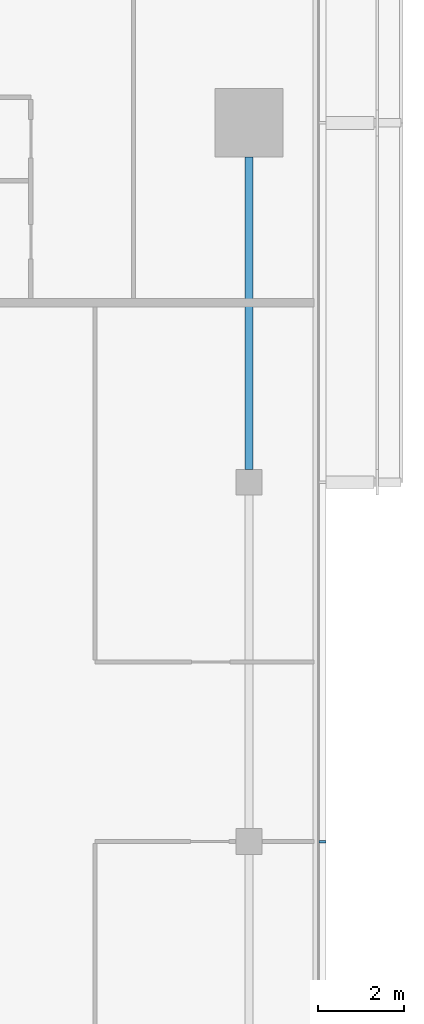
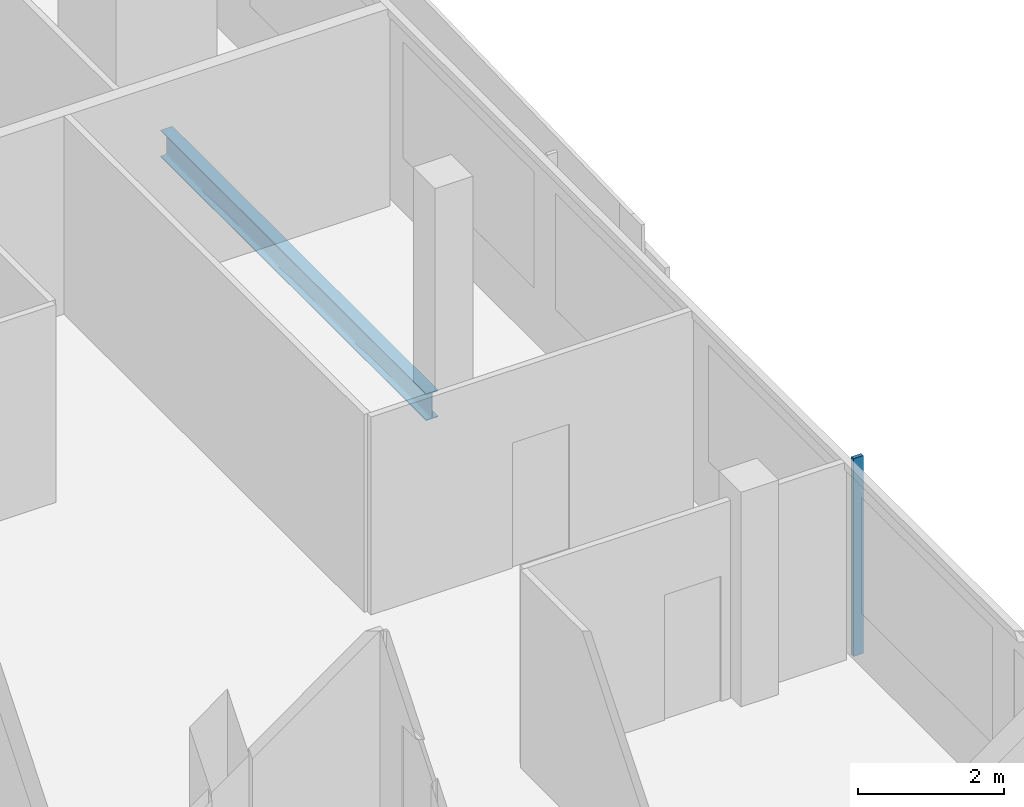
# One storey, part 11 of 30: 1 beam, 1 member, 1 element without a shape of its own.
"""IFC4 building model written with IfcOpenShell, lengths in metres."""

from ifc_helpers import new_model, si_unit, direction, frame, origin, origin_2d, place, context, subcontext, project, spatial, rectangle, i_section, extrude, material, material_profile, profile_set, type_object, element, aggregate, save


model = new_model("IFC4")

# Units and contexts
model_context = context("Model", 3, precision=1e-05, world=origin(), true_north=direction((0.0, 1.0)))
body_context = subcontext(model_context, "Body", "Model", "MODEL_VIEW")
ifc_project = project(units=[si_unit("LENGTHUNIT", "METRE"), si_unit("AREAUNIT", "SQUARE_METRE"), si_unit("VOLUMEUNIT", "CUBIC_METRE"), si_unit("PLANEANGLEUNIT", "RADIAN"), si_unit("MASSUNIT", "GRAM", prefix="KILO")], contexts=[model_context])

# Site, building, storey
site_placement = place(None, origin())
site = spatial("IfcSite", under=ifc_project, at=site_placement, CompositionType="ELEMENT")
building_placement = place(site_placement, origin())
building = spatial("IfcBuilding", under=site, at=building_placement, Name="Saffron Gate Tower", CompositionType="ELEMENT")
storey_placement = place(building_placement, frame((0.0, 0.0, 245.10009765625)))
storey = spatial("IfcBuildingStorey", under=building, at=storey_placement, Name="L60", CompositionType="ELEMENT", Elevation=245.10009765625)

# Beam
ifc_material_1 = material(Name="Structural steel S355", Category="steel")
ifc_material_profile_1 = material_profile(ifc_material_1, i_section(OverallWidth=0.18994140625, OverallDepth=0.449951171875, WebThickness=0.009521484375, FlangeThickness=0.0146484375, FilletRadius=0.02099609375, at=origin_2d()))
ifc_profile_set_1 = profile_set([ifc_material_profile_1], Name="Structural steel S355")
beam_type = type_object("IfcBeamType", Name="B7 IPE 450", PredefinedType="SPANDREL", material=ifc_profile_set_1)
beam_placement = place(storey_placement, frame((125.39990234375, 57.300048828125, -0.505126953125), z_axis=(0.0, 1.0, 0.0), x_axis=(-1.0, 0.0, 0.0)))
element("IfcBeam", 1, at=beam_placement, inside=storey, type_object=beam_type, Name="B7 SPANDREL BEAM", PredefinedType="SPANDREL", context=body_context, shape_type="SweptSolid", body=[
    extrude(i_section(OverallWidth=0.18994140625, OverallDepth=0.449951171875, WebThickness=0.009521484375, FlangeThickness=0.0146484375, FilletRadius=0.02099609375, at=origin_2d()), origin(), (0.0, 0.0, 1.0), 7.300048828125),
])

# Curtain wall, member
ifc_material_2 = material(Name="Aluminium, bronze anodised", Category="aluminium")
curtain_wall_type = type_object("IfcCurtainWallType", Name="CWS2 curtain wall side facades", PredefinedType="NOTDEFINED", material=ifc_material_2)
curtain_wall_placement = place(storey_placement, origin())
curtain_wall = element("IfcCurtainWall", 2, at=curtain_wall_placement, inside=storey, type_object=curtain_wall_type, Name="CWS2 run 4", PredefinedType="NOTDEFINED")
ifc_material_profile_2 = material_profile(ifc_material_2, rectangle(XDim=0.159912109375, YDim=0.06005859375, at=origin_2d()))
ifc_profile_set_2 = profile_set([ifc_material_profile_2], Name="Aluminium, bronze anodised")
member_type = type_object("IfcMemberType", Name="CWS2 mullion 60x160", PredefinedType="MULLION", material=ifc_profile_set_2)
member_placement = place(storey_placement, frame((127.1201171875, 48.60009765625, 0.0), z_axis=(0.0, 0.0, 1.0), x_axis=(-1.0, 0.0, 0.0)))
member = element("IfcMember", 3, at=member_placement, type_object=member_type, Name="CWS2 mullion 3", PredefinedType="MULLION", context=body_context, shape_type="SweptSolid", body=[
    extrude(rectangle(XDim=0.159912109375, YDim=0.06005859375, at=origin_2d()), origin(), (0.0, 0.0, 1.0), 3.31982421875),
])
aggregate(curtain_wall, [member])

save(model, "model.ifc")
